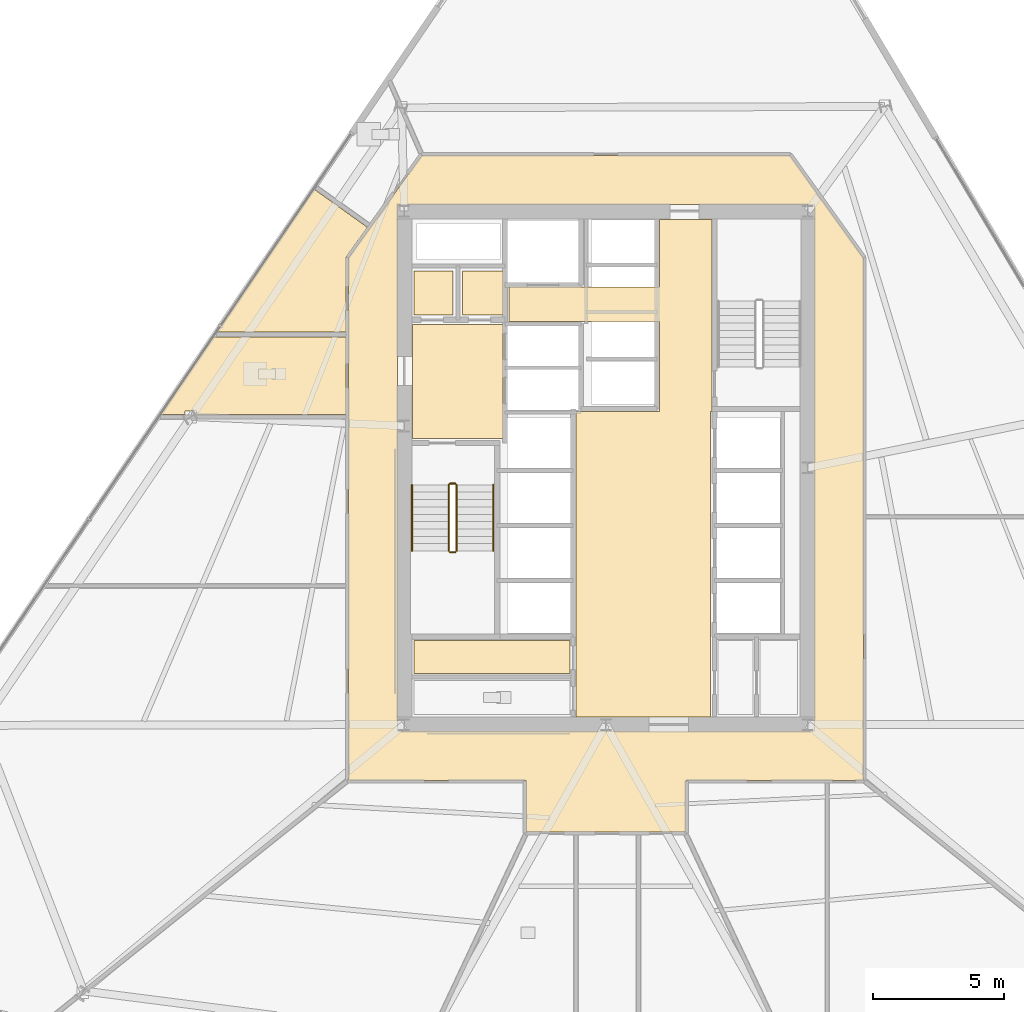
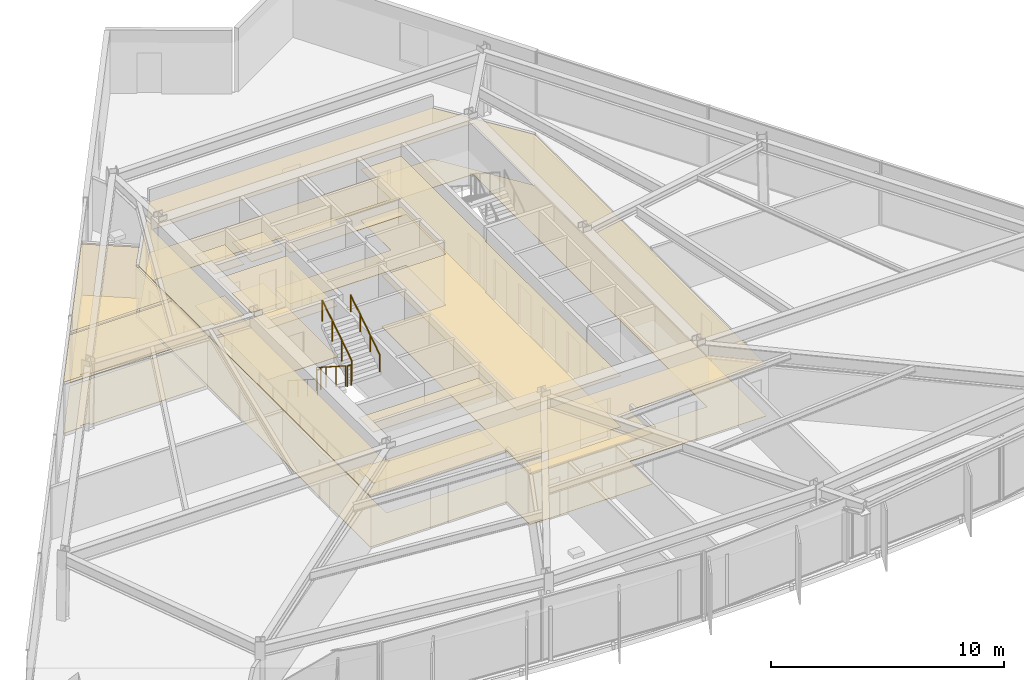
# One storey, part 14 of 18: 16 coverings, 6 railings.
"""IFC4 building model written with IfcOpenShell, lengths in metres."""

import ifcopenshell
import ifcopenshell.guid

model = None  # the IFC model being written
_history = None  # IfcOwnerHistory: only IFC2X3 demands one
_inside = {}  # id of a spatial element -> (the spatial element, [elements in it])
_under = {}  # id of a project, library or spatial element -> (it, [spatial elements below it])
_declared = {}  # id of a project -> (the project, [libraries it declares])
_typed = {}  # id of a type object -> (the type object, [elements of that type])
_made_of = {}  # id of a material, layer set ... -> (it, [elements and type objects made of it])


def new_model(schema):
    """Start an empty IFC model of exactly this schema.

    Asked for "IFC4X3", IfcOpenShell would pick the latest addendum, in which some entities
    have other attributes; the version numbers below select the first issue.
    IFC2X3 requires an IfcOwnerHistory on every rooted entity: one is made here for all.
    """
    global model, _history
    if schema == "IFC4X3":
        model = ifcopenshell.file(schema_version=(4, 3, 0, 0))
    else:
        model = ifcopenshell.file(schema=schema)
    _inside.clear()
    _under.clear()
    _declared.clear()
    _typed.clear()
    _made_of.clear()
    _history = None
    if model.schema == "IFC2X3":
        org = make("IfcOrganization", Name="unknown")
        user = make(
            "IfcPersonAndOrganization",
            ThePerson=make("IfcPerson", FamilyName="unknown"),
            TheOrganization=org,
        )
        app = make(
            "IfcApplication",
            ApplicationDeveloper=org,
            Version="unknown",
            ApplicationFullName="unknown",
            ApplicationIdentifier="unknown",
        )
        _history = make(
            "IfcOwnerHistory",
            OwningUser=user,
            OwningApplication=app,
            ChangeAction="ADDED",
            CreationDate=0,
        )
    return model


def make(cls, **values):
    """One entity of the class cls with the attributes given. An attribute that is None is left unset."""
    return model.create_entity(
        cls, **{name: value for name, value in values.items() if value is not None}
    )


def rooted(cls, **values):
    """An entity with a GlobalId (a new one), such as an element, a storey or a relation."""
    return make(cls, GlobalId=ifcopenshell.guid.new(), OwnerHistory=_history, **values)


def si_unit(unit_type, name, prefix=None):
    """IfcSIUnit, for example si_unit("LENGTHUNIT", "METRE", prefix="MILLI")."""
    return make("IfcSIUnit", UnitType=unit_type, Prefix=prefix, Name=name)


def assignment(units):
    """IfcUnitAssignment: the units of a project."""
    return None if units is None else make("IfcUnitAssignment", Units=units)


def point(xyz):
    """IfcCartesianPoint."""
    return None if xyz is None else make("IfcCartesianPoint", Coordinates=xyz)


def direction(xyz):
    """IfcDirection."""
    return None if xyz is None else make("IfcDirection", DirectionRatios=xyz)


def frame(location, z_axis=None, x_axis=None):
    """IfcAxis2Placement3D, a coordinate frame: its origin and axes. An axis left out is left unset."""
    return make(
        "IfcAxis2Placement3D",
        Location=point(location),
        Axis=direction(z_axis),
        RefDirection=direction(x_axis),
    )


def frame_2d(location, x_axis=None):
    """IfcAxis2Placement2D, a coordinate frame in the plane: its origin and x axis."""
    return make(
        "IfcAxis2Placement2D", Location=point(location), RefDirection=direction(x_axis)
    )


def origin():
    """The frame at (0, 0, 0) with its axes left unset."""
    return frame((0.0, 0.0, 0.0))


def origin_2d():
    """The frame at (0, 0) in the plane with its x axis left unset."""
    return frame_2d((0.0, 0.0))


def place(relative_to, where):
    """IfcLocalPlacement: puts the frame where relative to a parent placement (None: the world)."""
    return make(
        "IfcLocalPlacement", PlacementRelTo=relative_to, RelativePlacement=where
    )


def context(
    kind, dimensions, precision=None, world=None, true_north=None, identifier=None
):
    """IfcGeometricRepresentationContext, for example the 3D "Model" context."""
    return make(
        "IfcGeometricRepresentationContext",
        ContextIdentifier=identifier,
        ContextType=kind,
        CoordinateSpaceDimension=dimensions,
        Precision=precision,
        WorldCoordinateSystem=world,
        TrueNorth=true_north,
    )


def subcontext(parent, identifier, kind, view, scale=None):
    """IfcGeometricRepresentationSubContext, for example "Body" below "Model"."""
    return make(
        "IfcGeometricRepresentationSubContext",
        ContextIdentifier=identifier,
        ContextType=kind,
        ParentContext=parent,
        TargetScale=scale,
        TargetView=view,
    )


def project(units=None, contexts=None):
    """IfcProject with its units and contexts."""
    return rooted(
        "IfcProject",
        Name="project",
        RepresentationContexts=contexts,
        UnitsInContext=assignment(units),
    )


def spatial(cls, under=None, at=None, **own):
    """A site, building, storey or space (cls), placed at a placement, below another one or the project."""
    s = rooted(cls, ObjectPlacement=at, **own)
    if under is not None:
        _under.setdefault(under.id(), (under, []))[1].append(s)
    return s


def polyline(points):
    """IfcPolyline through the points."""
    return make("IfcPolyline", Points=[point(p) for p in points])


def profile(cls, at=None, kind="AREA", **sizes):
    """A parametric profile (cls). Its sizes go by their IFC names, for example OverallWidth=200.0."""
    return make(cls, ProfileType=kind, Position=at, **sizes)


def circle(**sizes):
    """IfcCircleProfileDef."""
    return profile("IfcCircleProfileDef", **sizes)


def outline(outer, holes=None, kind="AREA"):
    """IfcArbitraryClosedProfileDef: a profile drawn as a closed curve; with holes, ...WithVoids."""
    if holes is None:
        return make("IfcArbitraryClosedProfileDef", ProfileType=kind, OuterCurve=outer)
    return make(
        "IfcArbitraryProfileDefWithVoids",
        ProfileType=kind,
        OuterCurve=outer,
        InnerCurves=holes,
    )


def extrude(swept, where, along, depth):
    """IfcExtrudedAreaSolid: the profile swept, set in the frame where, extruded along a direction by depth."""
    return make(
        "IfcExtrudedAreaSolid",
        SweptArea=swept,
        Position=where,
        ExtrudedDirection=direction(along),
        Depth=depth,
    )


def shape(context_of_items, identifier, shape_type, items):
    """IfcShapeRepresentation: the items that make up one representation, for example the "Body"."""
    return make(
        "IfcShapeRepresentation",
        ContextOfItems=context_of_items,
        RepresentationIdentifier=identifier,
        RepresentationType=shape_type,
        Items=items,
    )


def material(Name=None, Category=None):
    """IfcMaterial."""
    return make("IfcMaterial", Name=Name, Category=Category)


def layer(
    of_material, thickness, ventilated=None, Name=None, Category=None, Priority=None
):
    """IfcMaterialLayer: one layer of a wall or slab, of a material (None: an air gap)."""
    return make(
        "IfcMaterialLayer",
        Material=of_material,
        LayerThickness=thickness,
        IsVentilated=ventilated,
        Name=Name,
        Category=Category,
        Priority=Priority,
    )


def layer_set(layers, Name=None):
    """IfcMaterialLayerSet."""
    return make("IfcMaterialLayerSet", MaterialLayers=layers, LayerSetName=Name)


def made_of(thing, what):
    """Note that an element or type object is made of a material, layer set ...; save() writes the relation."""
    if what is not None:
        _made_of.setdefault(what.id(), (what, []))[1].append(thing)
    return thing


def type_object(cls, material=None, **own):
    """A type object (cls), such as IfcWallType, which elements share."""
    return made_of(rooted(cls, **own), material)


def element(
    cls,
    number,
    at=None,
    inside=None,
    cuts=None,
    type_object=None,
    material=None,
    context=None,
    identifier="Body",
    shape_type=None,
    held_by="IfcProductDefinitionShape",
    body=None,
    shapes=None,
    **own,
):
    """One element of the class cls, such as IfcWall. Its Tag is "e" and its number.

    at: its placement. inside: the storey or other place that contains it. cuts: it is an
    opening in that element (IfcRelVoidsElement). A single representation is given by context,
    identifier, shape_type and body (its items); several are given by shapes. held_by: the class
    of the entity that holds the representations. save() writes the other relations.
    """
    e = rooted(cls, Tag="e%d" % number, ObjectPlacement=at, **own)
    if body is not None:
        shapes = [shape(context, identifier, shape_type, body)]
    if shapes is not None:
        e.Representation = make(held_by, Representations=shapes)
    if inside is not None:
        _inside.setdefault(inside.id(), (inside, []))[1].append(e)
    if cuts is not None:
        rooted(
            "IfcRelVoidsElement", RelatingBuildingElement=cuts, RelatedOpeningElement=e
        )
    if type_object is not None:
        _typed.setdefault(type_object.id(), (type_object, []))[1].append(e)
    return made_of(e, material)


def aggregate(whole, parts):
    """IfcRelAggregates: a whole, such as a stair, and the parts it consists of."""
    return rooted("IfcRelAggregates", RelatingObject=whole, RelatedObjects=parts)


def save(model, path):
    """Write the relations noted so far, then the file.

    IfcRelAggregates (storeys below a building ...), IfcRelContainedInSpatialStructure (elements
    in a storey), IfcRelDefinesByType, IfcRelAssociatesMaterial and IfcRelDeclares: one each for
    every whole, place, type object, material and project.
    """
    for whole, parts in _under.values():
        aggregate(whole, parts)
    for where, things in _inside.values():
        rooted(
            "IfcRelContainedInSpatialStructure",
            RelatedElements=things,
            RelatingStructure=where,
        )
    for kind, things in _typed.values():
        rooted("IfcRelDefinesByType", RelatedObjects=things, RelatingType=kind)
    for what, things in _made_of.values():
        rooted("IfcRelAssociatesMaterial", RelatedObjects=things, RelatingMaterial=what)
    for by, libraries in _declared.values():
        rooted("IfcRelDeclares", RelatingContext=by, RelatedDefinitions=libraries)
    model.write(path)


model = new_model("IFC4")

# Units and contexts
model_context = context("Model", 3, precision=1e-05, world=origin(), true_north=direction((0.0, 1.0)))
body_context = subcontext(model_context, "Body", "Model", "MODEL_VIEW")
ifc_project = project(units=[si_unit("LENGTHUNIT", "METRE"), si_unit("AREAUNIT", "SQUARE_METRE"), si_unit("VOLUMEUNIT", "CUBIC_METRE"), si_unit("PLANEANGLEUNIT", "RADIAN"), si_unit("MASSUNIT", "GRAM", prefix="KILO")], contexts=[model_context])

# Site, building, storey
site_placement = place(None, origin())
site = spatial("IfcSite", under=ifc_project, at=site_placement, CompositionType="ELEMENT")
building_placement = place(site_placement, origin())
building = spatial("IfcBuilding", under=site, at=building_placement, Name="Savorim Split Tower", CompositionType="ELEMENT")
storey_placement = place(building_placement, frame((0.0, 0.0, 44.39990234375)))
storey = spatial("IfcBuildingStorey", under=building, at=storey_placement, Name="L11", CompositionType="ELEMENT", Elevation=44.39990234375)

# Coverings
ifc_material_1 = material(Name="Mineral Fibre Acoustic Ceiling")
ifc_layer_1 = layer(ifc_material_1, 0.02490234375)
ifc_layer_set_1 = layer_set([ifc_layer_1], Name="COV-CEIL-25")
covering_type_1 = type_object("IfcCoveringType", Name="COV-CEIL-25", PredefinedType="CEILING", material=ifc_layer_set_1)
covering_1_placement = place(storey_placement, frame((0.0, 0.0, 2.670166015625)))
element("IfcCovering", 1, at=covering_1_placement, inside=storey, type_object=covering_type_1, Name="L11 Firefighting Lift Lobby Acoustic Ceiling", PredefinedType="CEILING", context=body_context, shape_type="SweptSolid", body=[
    extrude(outline(polyline([(-7.3798828125, 5.8701171875), (-7.3798828125, 1.530029296875), (-3.929931640625, 1.530029296875), (-3.929931640625, 5.8701171875), (-7.3798828125, 5.8701171875)])), origin(), (0.0, 0.0, 1.0), 0.02490234375),
])
covering_2_placement = place(storey_placement, frame((0.0, 0.0, 2.670166015625)))
element("IfcCovering", 2, at=covering_2_placement, inside=storey, type_object=covering_type_1, Name="L11 Electrical Riser Acoustic Ceiling", PredefinedType="CEILING", context=body_context, shape_type="SweptSolid", body=[
    extrude(outline(polyline([(-7.320068359375, 7.919921875), (-7.320068359375, 6.22998046875), (-5.830078125, 6.22998046875), (-5.830078125, 7.919921875), (-7.320068359375, 7.919921875)])), origin(), (0.0, 0.0, 1.0), 0.02490234375),
])
covering_3_placement = place(storey_placement, frame((0.0, 0.0, 2.670166015625)))
element("IfcCovering", 3, at=covering_3_placement, inside=storey, type_object=covering_type_1, Name="L11 Telecom Riser Acoustic Ceiling", PredefinedType="CEILING", context=body_context, shape_type="SweptSolid", body=[
    extrude(outline(polyline([(-5.469970703125, 7.919921875), (-5.469970703125, 6.22998046875), (-3.929931640625, 6.22998046875), (-3.929931640625, 7.919921875), (-5.469970703125, 7.919921875)])), origin(), (0.0, 0.0, 1.0), 0.02490234375),
])
covering_4_placement = place(storey_placement, frame((0.0, 0.0, 2.670166015625)))
element("IfcCovering", 4, at=covering_4_placement, inside=storey, type_object=covering_type_1, Name="L11 Lift Lobby Acoustic Ceiling", PredefinedType="CEILING", context=body_context, shape_type="SweptSolid", body=[
    extrude(outline(polyline([(2.050048828125, 2.550048828125), (-1.14990234375, 2.550048828125), (-1.14990234375, -9.10009765625), (4.0, -9.10009765625), (4.0, 2.550048828125), (4.050048828125, 2.550048828125), (4.050048828125, 5.97998046875), (4.050048828125, 7.300048828125), (4.050048828125, 9.8798828125), (2.050048828125, 9.8798828125), (2.050048828125, 7.300048828125), (-3.699951171875, 7.300048828125), (-3.699951171875, 5.97998046875), (2.050048828125, 5.97998046875), (2.050048828125, 2.550048828125)])), origin(), (0.0, 0.0, 1.0), 0.02490234375),
])
covering_5_placement = place(storey_placement, frame((0.0, 0.0, 2.670166015625)))
element("IfcCovering", 5, at=covering_5_placement, inside=storey, type_object=covering_type_1, Name="L11 Cleaning Store Acoustic Ceiling", PredefinedType="CEILING", context=body_context, shape_type="SweptSolid", body=[
    extrude(outline(polyline([(-7.320068359375, -6.179931640625), (-7.320068359375, -7.43994140625), (-1.3798828125, -7.43994140625), (-1.3798828125, -6.179931640625), (-7.320068359375, -6.179931640625)])), origin(), (0.0, 0.0, 1.0), 0.02490234375),
])
covering_6_placement = place(storey_placement, frame((0.0, 0.0, 2.670166015625)))
element("IfcCovering", 6, at=covering_6_placement, inside=storey, type_object=covering_type_1, Name="L11 Corridor Acoustic Ceiling", PredefinedType="CEILING", context=body_context, shape_type="SweptSolid", body=[
    extrude(outline(polyline([(7.009521484375, 12.3291015625), (7.004638671875, 12.329833984375), (7.0, 12.330078125), (-7.0, 12.330078125), (-7.004638671875, 12.329833984375), (-7.009521484375, 12.3291015625), (-7.013916015625, 12.327880859375), (-7.0185546875, 12.326416015625), (-7.022705078125, 12.324462890625), (-7.027099609375, 12.322021484375), (-7.03076171875, 12.3193359375), (-7.034423828125, 12.31640625), (-7.03759765625, 12.312744140625), (-7.04052734375, 12.30908203125), (-9.820556640625, 8.42919921875), (-9.823486328125, 8.4248046875), (-9.82568359375, 8.420166015625), (-9.82763671875, 8.415283203125), (-9.828857421875, 8.410400390625), (-9.82958984375, 8.4052734375), (-9.830078125, 8.39990234375), (-9.830078125, -11.47998046875), (-9.829833984375, -11.48486328125), (-9.8291015625, -11.48974609375), (-9.827880859375, -11.494384765625), (-9.826171875, -11.4990234375), (-9.82421875, -11.503662109375), (-9.821533203125, -11.5078125), (-9.818603515625, -11.51171875), (-9.8154296875, -11.515380859375), (-9.811767578125, -11.518798828125), (-9.807861328125, -11.521484375), (-9.8037109375, -11.524169921875), (-9.799072265625, -11.526123046875), (-9.79443359375, -11.52783203125), (-9.789794921875, -11.529052734375), (-9.784912109375, -11.52978515625), (-9.780029296875, -11.530029296875), (-3.050048828125, -11.530029296875), (-3.050048828125, -13.449951171875), (-3.0498046875, -13.454833984375), (-3.049072265625, -13.459716796875), (-3.0478515625, -13.464599609375), (-3.046142578125, -13.468994140625), (-3.044189453125, -13.4736328125), (-3.04150390625, -13.477783203125), (-3.038818359375, -13.481689453125), (-3.035400390625, -13.4853515625), (-3.03173828125, -13.48876953125), (-3.02783203125, -13.49169921875), (-3.023681640625, -13.494140625), (-3.01904296875, -13.49609375), (-3.014404296875, -13.497802734375), (-3.009765625, -13.4990234375), (-3.0048828125, -13.499755859375), (-3.0, -13.5), (3.0, -13.5), (3.0048828125, -13.499755859375), (3.009765625, -13.4990234375), (3.014404296875, -13.497802734375), (3.01904296875, -13.49609375), (3.023681640625, -13.494140625), (3.02783203125, -13.49169921875), (3.03173828125, -13.48876953125), (3.035400390625, -13.4853515625), (3.038818359375, -13.481689453125), (3.04150390625, -13.477783203125), (3.044189453125, -13.4736328125), (3.046142578125, -13.468994140625), (3.0478515625, -13.464599609375), (3.049072265625, -13.459716796875), (3.0498046875, -13.454833984375), (3.050048828125, -13.449951171875), (3.050048828125, -11.530029296875), (9.780029296875, -11.530029296875), (9.784912109375, -11.52978515625), (9.789794921875, -11.529052734375), (9.79443359375, -11.52783203125), (9.799072265625, -11.526123046875), (9.8037109375, -11.524169921875), (9.807861328125, -11.521484375), (9.811767578125, -11.518798828125), (9.8154296875, -11.515380859375), (9.818603515625, -11.51171875), (9.821533203125, -11.5078125), (9.82421875, -11.503662109375), (9.826171875, -11.4990234375), (9.827880859375, -11.494384765625), (9.8291015625, -11.48974609375), (9.829833984375, -11.48486328125), (9.830078125, -11.47998046875), (9.830078125, 8.39990234375), (9.82958984375, 8.4052734375), (9.828857421875, 8.410400390625), (9.82763671875, 8.415283203125), (9.82568359375, 8.420166015625), (9.823486328125, 8.4248046875), (9.820556640625, 8.42919921875), (7.04052734375, 12.30908203125), (7.03759765625, 12.312744140625), (7.034423828125, 12.31640625), (7.03076171875, 12.3193359375), (7.027099609375, 12.322021484375), (7.022705078125, 12.324462890625), (7.0185546875, 12.326416015625), (7.013916015625, 12.327880859375), (7.009521484375, 12.3291015625)]), holes=[polyline([(-7.949951171875, 10.449951171875), (-7.949951171875, -9.64990234375), (7.949951171875, -9.64990234375), (7.949951171875, 10.449951171875), (-7.949951171875, 10.449951171875)])]), origin(), (0.0, 0.0, 1.0), 0.02490234375),
])
covering_7_placement = place(storey_placement, frame((0.0, 0.0, 2.670166015625)))
element("IfcCovering", 7, at=covering_7_placement, inside=storey, type_object=covering_type_1, Name="L11 Co-Living Bedroom Acoustic Ceiling", PredefinedType="CEILING", context=body_context, shape_type="SweptSolid", body=[
    extrude(outline(polyline([(-9.908203125, 8.456298828125), (-9.901611328125, 8.46923828125), (-9.893798828125, 8.4814453125), (-9.10498046875, 9.58251953125), (-11.14453125, 11.043701171875), (-14.858154296875, 5.5849609375), (-9.919921875, 5.5849609375), (-9.919921875, 8.39990234375), (-9.919189453125, 8.41455078125), (-9.9169921875, 8.4287109375), (-9.913330078125, 8.44287109375), (-9.908203125, 8.456298828125)])), origin(), (0.0, 0.0, 1.0), 0.02490234375),
])
covering_8_placement = place(storey_placement, frame((0.0, 0.0, 2.670166015625)))
element("IfcCovering", 8, at=covering_8_placement, inside=storey, type_object=covering_type_1, Name="L11 Shared Bathroom Acoustic Ceiling", PredefinedType="CEILING", context=body_context, shape_type="SweptSolid", body=[
    extrude(outline(polyline([(-15.6328125, 2.575927734375), (-15.6328125, 2.43798828125), (-9.919921875, 2.43798828125), (-9.919921875, 5.39501953125), (-14.9873046875, 5.39501953125), (-16.998779296875, 2.43798828125), (-16.068603515625, 2.43798828125), (-16.068603515625, 2.575927734375), (-15.6328125, 2.575927734375)])), origin(), (0.0, 0.0, 1.0), 0.02490234375),
])
ifc_material_2 = material(Name="Porcelain Stoneware Flooring", Category="masonry")
ifc_layer_2 = layer(ifc_material_2, 0.02001953125)
ifc_layer_set_2 = layer_set([ifc_layer_2], Name="COV-FLOR-20")
covering_type_2 = type_object("IfcCoveringType", Name="COV-FLOR-20", PredefinedType="FLOORING", material=ifc_layer_set_2)
covering_9_placement = place(storey_placement, origin())
element("IfcCovering", 9, at=covering_9_placement, inside=storey, type_object=covering_type_2, Name="L11 Firefighting Lift Lobby Porcelain Flooring", PredefinedType="FLOORING", context=body_context, shape_type="SweptSolid", body=[
    extrude(outline(polyline([(-7.3798828125, 5.8701171875), (-7.3798828125, 1.530029296875), (-3.929931640625, 1.530029296875), (-3.929931640625, 5.8701171875), (-7.3798828125, 5.8701171875)])), origin(), (0.0, 0.0, 1.0), 0.02001953125),
])
covering_10_placement = place(storey_placement, origin())
element("IfcCovering", 10, at=covering_10_placement, inside=storey, type_object=covering_type_2, Name="L11 Electrical Riser Porcelain Flooring", PredefinedType="FLOORING", context=body_context, shape_type="SweptSolid", body=[
    extrude(outline(polyline([(-7.320068359375, 7.919921875), (-7.320068359375, 6.22998046875), (-5.830078125, 6.22998046875), (-5.830078125, 7.919921875), (-7.320068359375, 7.919921875)])), origin(), (0.0, 0.0, 1.0), 0.02001953125),
])
covering_11_placement = place(storey_placement, origin())
element("IfcCovering", 11, at=covering_11_placement, inside=storey, type_object=covering_type_2, Name="L11 Telecom Riser Porcelain Flooring", PredefinedType="FLOORING", context=body_context, shape_type="SweptSolid", body=[
    extrude(outline(polyline([(-5.469970703125, 7.919921875), (-5.469970703125, 6.22998046875), (-3.929931640625, 6.22998046875), (-3.929931640625, 7.919921875), (-5.469970703125, 7.919921875)])), origin(), (0.0, 0.0, 1.0), 0.02001953125),
])
covering_12_placement = place(storey_placement, origin())
element("IfcCovering", 12, at=covering_12_placement, inside=storey, type_object=covering_type_2, Name="L11 Lift Lobby Porcelain Flooring", PredefinedType="FLOORING", context=body_context, shape_type="SweptSolid", body=[
    extrude(outline(polyline([(2.050048828125, 2.550048828125), (-1.14990234375, 2.550048828125), (-1.14990234375, -9.10009765625), (4.0, -9.10009765625), (4.0, 2.550048828125), (4.050048828125, 2.550048828125), (4.050048828125, 5.97998046875), (4.050048828125, 7.300048828125), (4.050048828125, 9.8798828125), (2.050048828125, 9.8798828125), (2.050048828125, 7.300048828125), (-3.699951171875, 7.300048828125), (-3.699951171875, 5.97998046875), (2.050048828125, 5.97998046875), (2.050048828125, 2.550048828125)])), origin(), (0.0, 0.0, 1.0), 0.02001953125),
])
covering_13_placement = place(storey_placement, origin())
element("IfcCovering", 13, at=covering_13_placement, inside=storey, type_object=covering_type_2, Name="L11 Cleaning Store Porcelain Flooring", PredefinedType="FLOORING", context=body_context, shape_type="SweptSolid", body=[
    extrude(outline(polyline([(-7.320068359375, -6.179931640625), (-7.320068359375, -7.43994140625), (-1.3798828125, -7.43994140625), (-1.3798828125, -6.179931640625), (-7.320068359375, -6.179931640625)])), origin(), (0.0, 0.0, 1.0), 0.02001953125),
])
covering_14_placement = place(storey_placement, origin())
element("IfcCovering", 14, at=covering_14_placement, inside=storey, type_object=covering_type_2, Name="L11 Corridor Porcelain Flooring", PredefinedType="FLOORING", context=body_context, shape_type="SweptSolid", body=[
    extrude(outline(polyline([(7.009521484375, 12.3291015625), (7.004638671875, 12.329833984375), (7.0, 12.330078125), (-7.0, 12.330078125), (-7.004638671875, 12.329833984375), (-7.009521484375, 12.3291015625), (-7.013916015625, 12.327880859375), (-7.0185546875, 12.326416015625), (-7.022705078125, 12.324462890625), (-7.027099609375, 12.322021484375), (-7.03076171875, 12.3193359375), (-7.034423828125, 12.31640625), (-7.03759765625, 12.312744140625), (-7.04052734375, 12.30908203125), (-9.820556640625, 8.42919921875), (-9.823486328125, 8.4248046875), (-9.82568359375, 8.420166015625), (-9.82763671875, 8.415283203125), (-9.828857421875, 8.410400390625), (-9.82958984375, 8.4052734375), (-9.830078125, 8.39990234375), (-9.830078125, -11.47998046875), (-9.829833984375, -11.48486328125), (-9.8291015625, -11.48974609375), (-9.827880859375, -11.494384765625), (-9.826171875, -11.4990234375), (-9.82421875, -11.503662109375), (-9.821533203125, -11.5078125), (-9.818603515625, -11.51171875), (-9.8154296875, -11.515380859375), (-9.811767578125, -11.518798828125), (-9.807861328125, -11.521484375), (-9.8037109375, -11.524169921875), (-9.799072265625, -11.526123046875), (-9.79443359375, -11.52783203125), (-9.789794921875, -11.529052734375), (-9.784912109375, -11.52978515625), (-9.780029296875, -11.530029296875), (-3.050048828125, -11.530029296875), (-3.050048828125, -13.449951171875), (-3.0498046875, -13.454833984375), (-3.049072265625, -13.459716796875), (-3.0478515625, -13.464599609375), (-3.046142578125, -13.468994140625), (-3.044189453125, -13.4736328125), (-3.04150390625, -13.477783203125), (-3.038818359375, -13.481689453125), (-3.035400390625, -13.4853515625), (-3.03173828125, -13.48876953125), (-3.02783203125, -13.49169921875), (-3.023681640625, -13.494140625), (-3.01904296875, -13.49609375), (-3.014404296875, -13.497802734375), (-3.009765625, -13.4990234375), (-3.0048828125, -13.499755859375), (-3.0, -13.5), (3.0, -13.5), (3.0048828125, -13.499755859375), (3.009765625, -13.4990234375), (3.014404296875, -13.497802734375), (3.01904296875, -13.49609375), (3.023681640625, -13.494140625), (3.02783203125, -13.49169921875), (3.03173828125, -13.48876953125), (3.035400390625, -13.4853515625), (3.038818359375, -13.481689453125), (3.04150390625, -13.477783203125), (3.044189453125, -13.4736328125), (3.046142578125, -13.468994140625), (3.0478515625, -13.464599609375), (3.049072265625, -13.459716796875), (3.0498046875, -13.454833984375), (3.050048828125, -13.449951171875), (3.050048828125, -11.530029296875), (9.780029296875, -11.530029296875), (9.784912109375, -11.52978515625), (9.789794921875, -11.529052734375), (9.79443359375, -11.52783203125), (9.799072265625, -11.526123046875), (9.8037109375, -11.524169921875), (9.807861328125, -11.521484375), (9.811767578125, -11.518798828125), (9.8154296875, -11.515380859375), (9.818603515625, -11.51171875), (9.821533203125, -11.5078125), (9.82421875, -11.503662109375), (9.826171875, -11.4990234375), (9.827880859375, -11.494384765625), (9.8291015625, -11.48974609375), (9.829833984375, -11.48486328125), (9.830078125, -11.47998046875), (9.830078125, 8.39990234375), (9.82958984375, 8.4052734375), (9.828857421875, 8.410400390625), (9.82763671875, 8.415283203125), (9.82568359375, 8.420166015625), (9.823486328125, 8.4248046875), (9.820556640625, 8.42919921875), (7.04052734375, 12.30908203125), (7.03759765625, 12.312744140625), (7.034423828125, 12.31640625), (7.03076171875, 12.3193359375), (7.027099609375, 12.322021484375), (7.022705078125, 12.324462890625), (7.0185546875, 12.326416015625), (7.013916015625, 12.327880859375), (7.009521484375, 12.3291015625)]), holes=[polyline([(-7.949951171875, 10.449951171875), (-7.949951171875, -9.64990234375), (7.949951171875, -9.64990234375), (7.949951171875, 10.449951171875), (-7.949951171875, 10.449951171875)])]), origin(), (0.0, 0.0, 1.0), 0.02001953125),
])
covering_15_placement = place(storey_placement, origin())
element("IfcCovering", 15, at=covering_15_placement, inside=storey, type_object=covering_type_2, Name="L11 Co-Living Bedroom Porcelain Flooring", PredefinedType="FLOORING", context=body_context, shape_type="SweptSolid", body=[
    extrude(outline(polyline([(-9.908203125, 8.456298828125), (-9.901611328125, 8.46923828125), (-9.893798828125, 8.4814453125), (-9.10498046875, 9.58251953125), (-11.14453125, 11.043701171875), (-14.858154296875, 5.5849609375), (-9.919921875, 5.5849609375), (-9.919921875, 8.39990234375), (-9.919189453125, 8.41455078125), (-9.9169921875, 8.4287109375), (-9.913330078125, 8.44287109375), (-9.908203125, 8.456298828125)])), origin(), (0.0, 0.0, 1.0), 0.02001953125),
])
covering_16_placement = place(storey_placement, origin())
element("IfcCovering", 16, at=covering_16_placement, inside=storey, type_object=covering_type_2, Name="L11 Shared Bathroom Porcelain Flooring", PredefinedType="FLOORING", context=body_context, shape_type="SweptSolid", body=[
    extrude(outline(polyline([(-15.6328125, 2.575927734375), (-15.6328125, 2.43798828125), (-9.919921875, 2.43798828125), (-9.919921875, 5.39501953125), (-14.9873046875, 5.39501953125), (-16.998779296875, 2.43798828125), (-16.068603515625, 2.43798828125), (-16.068603515625, 2.575927734375), (-15.6328125, 2.575927734375)])), origin(), (0.0, 0.0, 1.0), 0.02001953125),
])

# Railings
ifc_material_3 = material(Name="Galvanised Painted Steel Balustrade", Category="steel")
railing_type_1 = type_object("IfcRailingType", Name="RLG-HR-900", PredefinedType="HANDRAIL", material=ifc_material_3)
railing_1_placement = place(storey_placement, frame((-7.39990234375, -0.25, 0.18017578125)))
element("IfcRailing", 17, at=railing_1_placement, inside=storey, type_object=railing_type_1, Name="L11 ST-1 stair handrail 1", PredefinedType="HANDRAIL", context=body_context, shape_type="SweptSolid", body=[
    extrude(circle(Radius=0.02392578125, at=origin_2d()), frame((0.0, 0.0, 0.8759765625), z_axis=(0.0, -0.841199657755, 0.540724639528), x_axis=(1.0, 0.0, 0.0)), (0.0, 0.0, 1.0), 2.995849609375),
    extrude(circle(Radius=0.02099609375, at=origin_2d()), origin(), (0.0, 0.0, 1.0), 0.851806640625),
    extrude(circle(Radius=0.02099609375, at=origin_2d()), frame((0.0, -0.840087890625, 0.5400390625)), (0.0, 0.0, 1.0), 0.851806640625),
    extrude(circle(Radius=0.02099609375, at=origin_2d()), frame((0.0, -1.679931640625, 1.079833984375)), (0.0, 0.0, 1.0), 0.851806640625),
    extrude(circle(Radius=0.02099609375, at=origin_2d()), frame((0.0, -2.52001953125, 1.619873046875)), (0.0, 0.0, 1.0), 0.851806640625),
])
railing_2_placement = place(storey_placement, frame((-4.300048828125, -2.77001953125, 1.97998046875)))
element("IfcRailing", 18, at=railing_2_placement, inside=storey, type_object=railing_type_1, Name="L11 ST-1 stair handrail 2", PredefinedType="HANDRAIL", context=body_context, shape_type="SweptSolid", body=[
    extrude(circle(Radius=0.02392578125, at=origin_2d()), frame((0.0, 0.0, 0.8759765625), z_axis=(0.0, 0.841162588446, 0.540782303519), x_axis=(-1.0, 0.0, 0.0)), (0.0, 0.0, 1.0), 2.995849609375),
    extrude(circle(Radius=0.02099609375, at=origin_2d()), origin(), (0.0, 0.0, 1.0), 0.851806640625),
    extrude(circle(Radius=0.02099609375, at=origin_2d()), frame((0.0, 0.840087890625, 0.5400390625)), (0.0, 0.0, 1.0), 0.851806640625),
    extrude(circle(Radius=0.02099609375, at=origin_2d()), frame((0.0, 1.679931640625, 1.080078125)), (0.0, 0.0, 1.0), 0.851806640625),
    extrude(circle(Radius=0.02099609375, at=origin_2d()), frame((0.0, 2.52001953125, 1.6201171875)), (0.0, 0.0, 1.0), 0.851806640625),
])
railing_type_2 = type_object("IfcRailingType", Name="RLG-STG-1100", PredefinedType="BALUSTRADE", material=ifc_material_3)
railing_3_placement = place(storey_placement, frame((-6.0, -0.25, 0.18017578125)))
element("IfcRailing", 19, at=railing_3_placement, inside=storey, type_object=railing_type_2, Name="L11 ST-1 stair guard 1", PredefinedType="BALUSTRADE", context=body_context, shape_type="SweptSolid", body=[
    extrude(circle(Radius=0.02392578125, at=origin_2d()), frame((0.0, 0.0, 1.076171875), z_axis=(0.0, -0.841199657755, 0.540724639528), x_axis=(1.0, 0.0, 0.0)), (0.0, 0.0, 1.0), 2.995849609375),
    extrude(circle(Radius=0.02099609375, at=origin_2d()), origin(), (0.0, 0.0, 1.0), 1.052001953125),
    extrude(circle(Radius=0.02099609375, at=origin_2d()), frame((0.0, -0.840087890625, 0.5400390625)), (0.0, 0.0, 1.0), 1.052001953125),
    extrude(circle(Radius=0.02099609375, at=origin_2d()), frame((0.0, -1.679931640625, 1.079833984375)), (0.0, 0.0, 1.0), 1.052001953125),
    extrude(circle(Radius=0.02099609375, at=origin_2d()), frame((0.0, -2.52001953125, 1.619873046875)), (0.0, 0.0, 1.0), 1.052001953125),
])
railing_4_placement = place(storey_placement, frame((-5.949951171875, -2.820068359375, 1.800048828125)))
element("IfcRailing", 20, at=railing_4_placement, inside=storey, type_object=railing_type_2, Name="L11 ST-1 stair guard 2", PredefinedType="BALUSTRADE", context=body_context, shape_type="SweptSolid", body=[
    extrude(circle(Radius=0.02392578125, at=origin_2d()), frame((0.0, 0.0, 1.076171875), z_axis=(1.0, 0.0, 0.0), x_axis=(0.0, 1.0, 0.0)), (0.0, 0.0, 1.0), 0.199951171875),
    extrude(circle(Radius=0.02099609375, at=origin_2d()), origin(), (0.0, 0.0, 1.0), 1.052001953125),
    extrude(circle(Radius=0.02099609375, at=origin_2d()), frame((0.199951171875, 0.0, 0.0)), (0.0, 0.0, 1.0), 1.052001953125),
])
railing_5_placement = place(storey_placement, frame((-5.699951171875, -2.77001953125, 1.97998046875)))
element("IfcRailing", 21, at=railing_5_placement, inside=storey, type_object=railing_type_2, Name="L11 ST-1 stair guard 3", PredefinedType="BALUSTRADE", context=body_context, shape_type="SweptSolid", body=[
    extrude(circle(Radius=0.02392578125, at=origin_2d()), frame((0.0, 0.0, 1.076171875), z_axis=(0.0, 0.841162588446, 0.540782303519), x_axis=(-1.0, 0.0, 0.0)), (0.0, 0.0, 1.0), 2.995849609375),
    extrude(circle(Radius=0.02099609375, at=origin_2d()), origin(), (0.0, 0.0, 1.0), 1.052001953125),
    extrude(circle(Radius=0.02099609375, at=origin_2d()), frame((0.0, 0.840087890625, 0.5400390625)), (0.0, 0.0, 1.0), 1.052001953125),
    extrude(circle(Radius=0.02099609375, at=origin_2d()), frame((0.0, 1.679931640625, 1.080078125)), (0.0, 0.0, 1.0), 1.052001953125),
    extrude(circle(Radius=0.02099609375, at=origin_2d()), frame((0.0, 2.52001953125, 1.6201171875)), (0.0, 0.0, 1.0), 1.052001953125),
])
railing_6_placement = place(storey_placement, frame((-5.949951171875, -0.199951171875, 0.0)))
element("IfcRailing", 22, at=railing_6_placement, inside=storey, type_object=railing_type_2, Name="L11 ST-1 stair guard 4", PredefinedType="BALUSTRADE", context=body_context, shape_type="SweptSolid", body=[
    extrude(circle(Radius=0.02392578125, at=origin_2d()), frame((0.0, 0.0, 1.076171875), z_axis=(1.0, 0.0, 0.0), x_axis=(0.0, 1.0, 0.0)), (0.0, 0.0, 1.0), 0.199951171875),
    extrude(circle(Radius=0.02099609375, at=origin_2d()), origin(), (0.0, 0.0, 1.0), 1.052001953125),
    extrude(circle(Radius=0.02099609375, at=origin_2d()), frame((0.199951171875, 0.0, 0.0)), (0.0, 0.0, 1.0), 1.052001953125),
])

save(model, "model.ifc")
